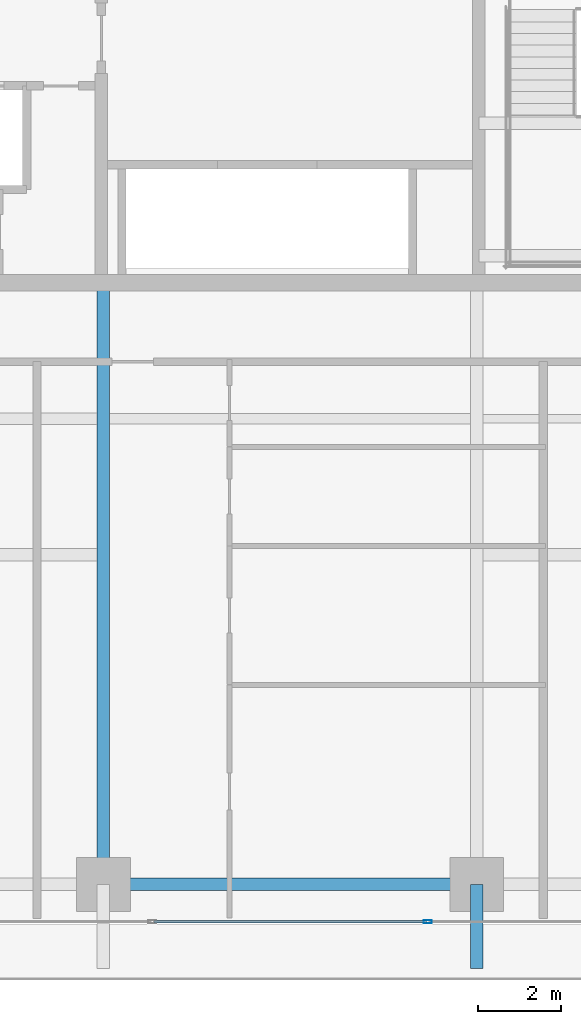
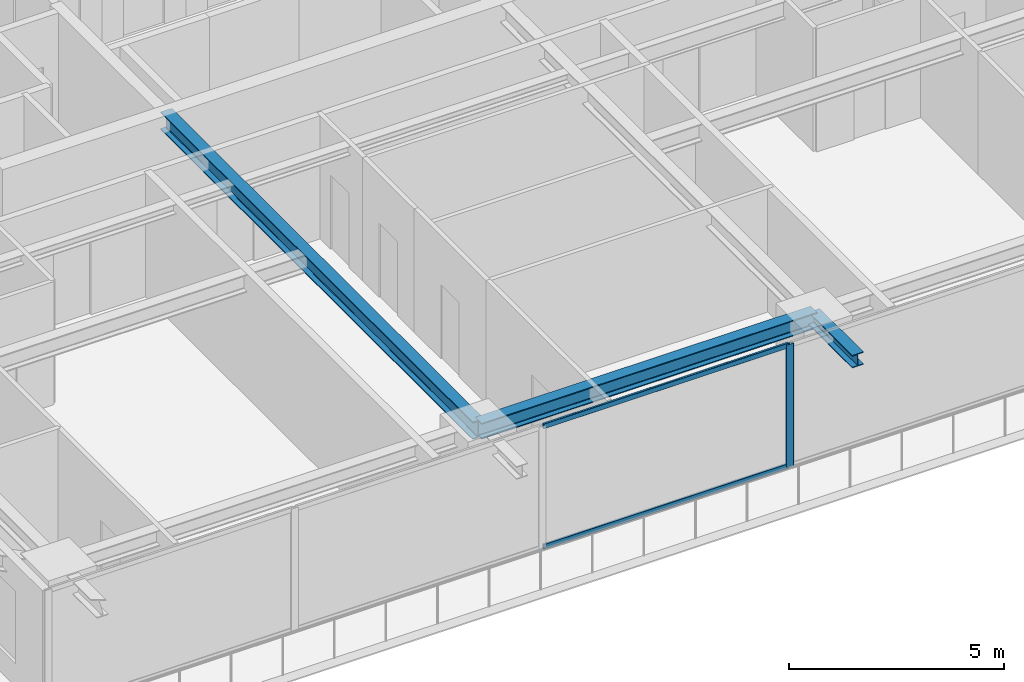
# One storey, part 6 of 38: 3 beams, 3 members, 1 element without a shape of its own.
"""IFC4 building model written with IfcOpenShell, lengths in metres."""

from ifc_helpers import new_model, si_unit, direction, frame, origin, origin_2d, place, context, subcontext, project, spatial, hollow_rectangle, i_section, extrude, source, transform, mapped, material, layer, layer_set, material_profile, profile_set, type_object, element, aggregate, save


model = new_model("IFC4")

# Units and contexts
model_context = context("Model", 3, precision=1e-05, world=origin(), true_north=direction((0.0, 1.0)))
body_context = subcontext(model_context, "Body", "Model", "MODEL_VIEW")
ifc_project = project(units=[si_unit("LENGTHUNIT", "METRE"), si_unit("AREAUNIT", "SQUARE_METRE"), si_unit("VOLUMEUNIT", "CUBIC_METRE"), si_unit("PLANEANGLEUNIT", "RADIAN"), si_unit("MASSUNIT", "GRAM", prefix="KILO")], contexts=[model_context])

# Site, building, storey
site_placement = place(None, origin())
site = spatial("IfcSite", under=ifc_project, at=site_placement, CompositionType="ELEMENT")
building_placement = place(site_placement, origin())
building = spatial("IfcBuilding", under=site, at=building_placement, Name="Serunith Strait Residences", CompositionType="ELEMENT")
storey_placement = place(building_placement, frame((0.0, 0.0, 120.14990234375)))
storey = spatial("IfcBuildingStorey", under=building, at=storey_placement, Name="L29", CompositionType="ELEMENT", Elevation=120.14990234375)

# Beams
ifc_material_1 = material(Name="Steel S355J2", Category="steel")
ifc_material_profile_1 = material_profile(ifc_material_1, i_section(OverallWidth=0.300048828125, OverallDepth=0.449951171875, WebThickness=0.013916015625, FlangeThickness=0.02587890625, FilletRadius=0.027099609375, at=origin_2d()), Name="HEB 450")
ifc_profile_set_1 = profile_set([ifc_material_profile_1], Name="Steel S355J2")
beam_type_1 = type_object("IfcBeamType", Name="BM-HEB450", PredefinedType="BEAM", material=ifc_profile_set_1)
shared_shape_1 = source(origin(), body_context, "Body", "SweptSolid", [
    extrude(i_section(OverallWidth=0.300048828125, OverallDepth=0.449951171875, WebThickness=0.013916015625, FlangeThickness=0.02587890625, FilletRadius=0.027099609375, at=origin_2d()), origin(), (0.0, 0.0, 1.0), 9.0),
])
beam_1_placement = place(storey_placement, frame((27.89990234375, 2.300048828125, 3.26220703125), z_axis=(1.0, 0.0, 0.0), x_axis=(0.0, 1.0, 0.0)))
element("IfcBeam", 1, at=beam_1_placement, inside=storey, type_object=beam_type_1, Name="L29 Perimeter Ring Beam 02", PredefinedType="BEAM", context=body_context, shape_type="MappedRepresentation", body=[
    mapped(shared_shape_1, transform((0.0, 0.0, 0.0), scale=1.0)),
])
ifc_material_profile_2 = material_profile(ifc_material_1, i_section(OverallWidth=0.300048828125, OverallDepth=0.5, WebThickness=0.014404296875, FlangeThickness=0.028076171875, FilletRadius=0.027099609375, at=origin_2d()), Name="HEB 500")
ifc_profile_set_2 = profile_set([ifc_material_profile_2], Name="Steel S355J2")
beam_type_2 = type_object("IfcBeamType", Name="BM-HEB500", PredefinedType="BEAM", material=ifc_profile_set_2)
shared_shape_2 = source(origin(), body_context, "Body", "SweptSolid", [
    extrude(i_section(OverallWidth=0.300048828125, OverallDepth=0.5, WebThickness=0.014404296875, FlangeThickness=0.028076171875, FilletRadius=0.027099609375, at=origin_2d()), origin(), (0.0, 0.0, 1.0), 14.5),
])
beam_2_placement = place(storey_placement, frame((27.89990234375, 16.800048828125, 3.237060546875), z_axis=(0.0, -1.0, 0.0), x_axis=(1.0, 0.0, 0.0)))
element("IfcBeam", 2, at=beam_2_placement, inside=storey, type_object=beam_type_2, Name="L29 Primary Floor Girder TC-S2", PredefinedType="BEAM", context=body_context, shape_type="MappedRepresentation", body=[
    mapped(shared_shape_2, transform((0.0, 0.0, 0.0), scale=1.0)),
])
ifc_material_profile_3 = material_profile(ifc_material_1, i_section(OverallWidth=0.300048828125, OverallDepth=0.360107421875, WebThickness=0.012451171875, FlangeThickness=0.0224609375, FilletRadius=0.027099609375, at=origin_2d()), Name="HEB 360")
ifc_profile_set_3 = profile_set([ifc_material_profile_3], Name="Steel S355J2")
beam_type_3 = type_object("IfcBeamType", Name="BM-HEB360", PredefinedType="BEAM", material=ifc_profile_set_3)
shared_shape_3 = source(origin(), body_context, "Body", "SweptSolid", [
    extrude(i_section(OverallWidth=0.300048828125, OverallDepth=0.360107421875, WebThickness=0.012451171875, FlangeThickness=0.0224609375, FilletRadius=0.027099609375, at=origin_2d()), origin(), (0.0, 0.0, 1.0), 2.030029296875),
])
beam_3_placement = place(storey_placement, frame((36.89990234375, 2.300048828125, 3.277099609375), z_axis=(0.0, -1.0, 0.0), x_axis=(1.0, 0.0, 0.0)))
element("IfcBeam", 3, at=beam_3_placement, inside=storey, type_object=beam_type_3, Name="L30 Cantilevered Balcony Rib TC-S3", PredefinedType="BEAM", context=body_context, shape_type="MappedRepresentation", body=[
    mapped(shared_shape_3, transform((0.0, 0.0, 0.0), scale=1.0)),
])

# Curtain wall, members
ifc_material_2 = material(Name="Pale-Champagne Anodised Aluminium", Category="aluminium")
ifc_layer = layer(ifc_material_2, 0.199951171875, Name="Pale-Champagne Anodised Aluminium")
ifc_layer_set = layer_set([ifc_layer], Name="Pale-Champagne Anodised Aluminium")
curtain_wall_type = type_object("IfcCurtainWallType", Name="CW-SYS2", PredefinedType="NOTDEFINED", material=ifc_layer_set)
curtain_wall_placement = place(storey_placement, origin())
curtain_wall = element("IfcCurtainWall", 4, at=curtain_wall_placement, inside=storey, type_object=curtain_wall_type, Name="L29 S Unitised Fritted Curtain Wall", PredefinedType="NOTDEFINED")
ifc_material_profile_4 = material_profile(ifc_material_2, hollow_rectangle(XDim=0.070068359375, YDim=0.199951171875, WallThickness=0.00390625, InnerFilletRadius=0.006103515625, OuterFilletRadius=0.010009765625, at=origin_2d()), Name="ALU 200x70x4")
ifc_profile_set_4 = profile_set([ifc_material_profile_4], Name="Pale-Champagne Anodised Aluminium")
member_type_1 = type_object("IfcMemberType", Name="CW-SYS2-MULL", PredefinedType="MULLION", material=ifc_profile_set_4)
shared_shape_4 = source(origin(), body_context, "Body", "SweptSolid", [
    extrude(hollow_rectangle(XDim=0.070068359375, YDim=0.199951171875, WallThickness=0.00390625, InnerFilletRadius=0.006103515625, OuterFilletRadius=0.010009765625, at=origin_2d()), origin(), (0.0, 0.0, 1.0), 3.47509765625),
])
member_1_placement = place(storey_placement, frame((35.719970703125, 1.39990234375, 0.0), z_axis=(0.0, 0.0, 1.0), x_axis=(0.0, 1.0, 0.0)))
member_1 = element("IfcMember", 5, at=member_1_placement, type_object=member_type_1, Name="CW-2 mullion 4", PredefinedType="MULLION", context=body_context, shape_type="MappedRepresentation", body=[
    mapped(shared_shape_4, transform((0.0, 0.0, 0.0), scale=1.0)),
])
ifc_material_profile_5 = material_profile(ifc_material_2, hollow_rectangle(XDim=0.06005859375, YDim=0.139892578125, WallThickness=0.00341796875, InnerFilletRadius=0.00537109375, OuterFilletRadius=0.0087890625, at=origin_2d()), Name="ALU 140x60x3.5")
ifc_profile_set_5 = profile_set([ifc_material_profile_5], Name="Pale-Champagne Anodised Aluminium")
member_type_2 = type_object("IfcMemberType", Name="CW-SYS2-TRAN", PredefinedType="USERDEFINED", material=ifc_profile_set_5)
shared_shape_5 = source(origin(), body_context, "Body", "SweptSolid", [
    extrude(hollow_rectangle(XDim=0.06005859375, YDim=0.139892578125, WallThickness=0.00341796875, InnerFilletRadius=0.00537109375, OuterFilletRadius=0.0087890625, at=origin_2d()), origin(), (0.0, 0.0, 1.0), 6.570068359375),
])
member_2_placement = place(storey_placement, frame((29.114990234375, 1.39990234375, 0.030029296875), z_axis=(1.0, 0.0, 0.0), x_axis=(0.0, 1.0, 0.0)))
member_2 = element("IfcMember", 6, at=member_2_placement, type_object=member_type_2, Name="CW-2 transom 3.1", ObjectType="TRANSOM", PredefinedType="USERDEFINED", context=body_context, shape_type="MappedRepresentation", body=[
    mapped(shared_shape_5, transform((0.0, 0.0, 0.0), scale=1.0)),
])
member_3_placement = place(storey_placement, frame((29.114990234375, 1.39990234375, 3.445068359375), z_axis=(1.0, 0.0, 0.0), x_axis=(0.0, 1.0, 0.0)))
member_3 = element("IfcMember", 7, at=member_3_placement, type_object=member_type_2, Name="CW-2 transom 3.2", ObjectType="TRANSOM", PredefinedType="USERDEFINED", context=body_context, shape_type="MappedRepresentation", body=[
    mapped(shared_shape_5, transform((0.0, 0.0, 0.0), scale=1.0)),
])
aggregate(curtain_wall, [member_1, member_2, member_3])

save(model, "model.ifc")
